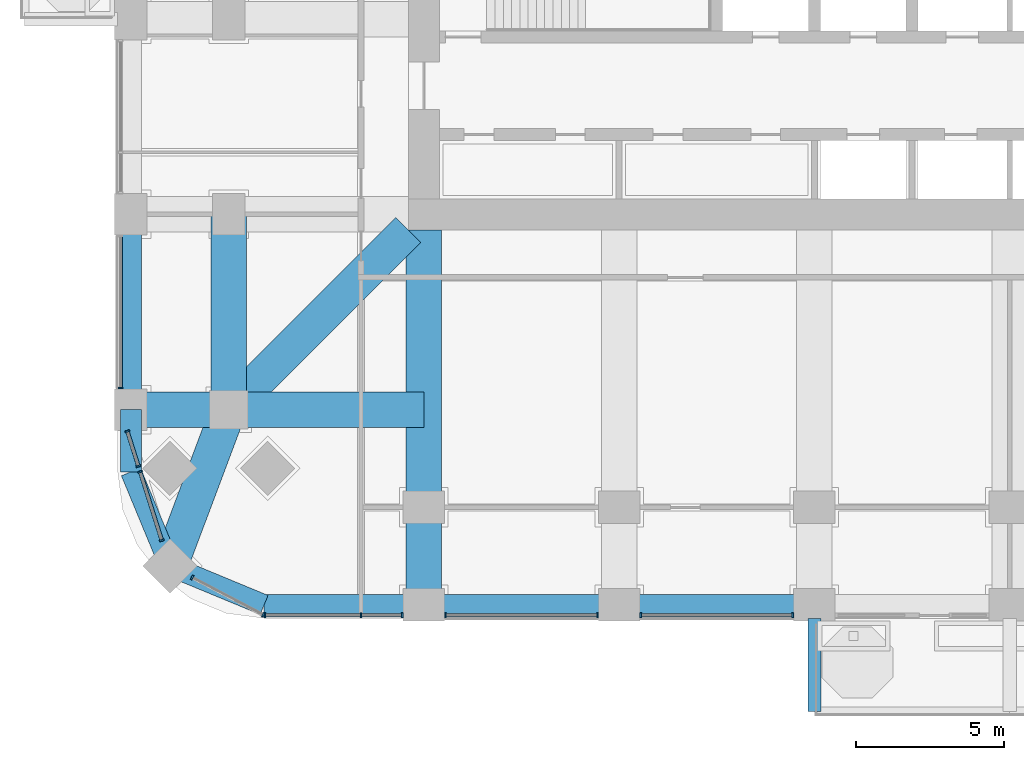
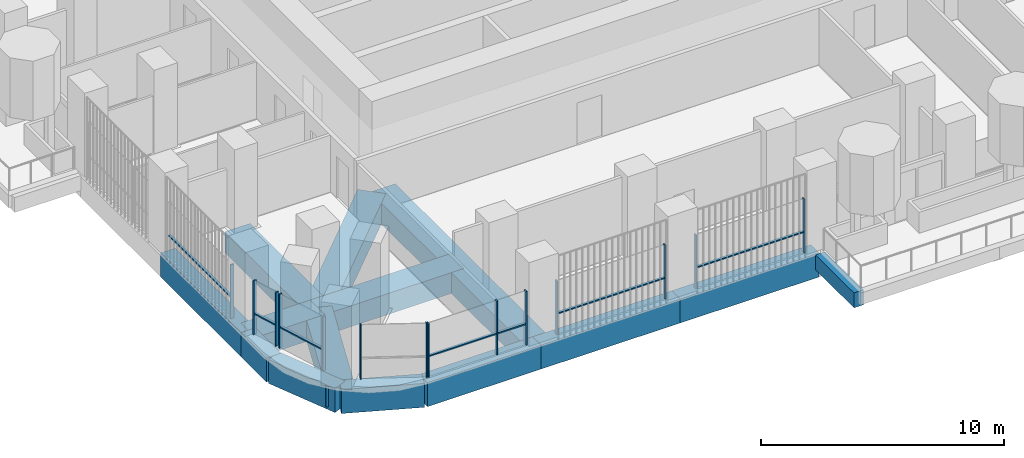
# One storey, part 2 of 22: 21 members, 14 beams, 7 elements without a shape of their own.
"""IFC4 building model written with IfcOpenShell, lengths in metres."""

from ifc_helpers import new_model, si_unit, direction, frame, origin, origin_2d, place, context, subcontext, project, spatial, rectangle, extrude, material, material_profile, profile_set, type_object, element, aggregate, save


model = new_model("IFC4")

# Units and contexts
model_context = context("Model", 3, precision=1e-05, world=origin(), true_north=direction((0.0, 1.0)))
body_context = subcontext(model_context, "Body", "Model", "MODEL_VIEW")
ifc_project = project(units=[si_unit("LENGTHUNIT", "METRE"), si_unit("AREAUNIT", "SQUARE_METRE"), si_unit("VOLUMEUNIT", "CUBIC_METRE"), si_unit("PLANEANGLEUNIT", "RADIAN"), si_unit("MASSUNIT", "GRAM", prefix="KILO")], contexts=[model_context])

# Site, building, storey
site_placement = place(None, origin())
site = spatial("IfcSite", under=ifc_project, at=site_placement, CompositionType="ELEMENT")
building_placement = place(site_placement, origin())
building = spatial("IfcBuilding", under=site, at=building_placement, Name="Cobogo Forest Laboratory Tower", CompositionType="ELEMENT")
storey_placement = place(building_placement, frame((0.0, 0.0, 120.0)))
storey = spatial("IfcBuildingStorey", under=building, at=storey_placement, Name="L27", CompositionType="ELEMENT", Elevation=120.0)

# Beams
ifc_material_1 = material(Name="Concrete HA-40 (C40/50)", Category="concrete")
ifc_material_profile_1 = material_profile(ifc_material_1, rectangle(XDim=0.449951171875, YDim=0.75, at=origin_2d()), Name="RC 450x750")
ifc_profile_set_1 = profile_set([ifc_material_profile_1], Name="Concrete HA-40 (C40/50)")
beam_type_1 = type_object("IfcBeamType", Name="Balcony cantilever beam 450x750", PredefinedType="BEAM", material=ifc_profile_set_1)
beam_1_placement = place(storey_placement, frame((26.39990234375, -0.449951171875, -0.625), z_axis=(0.0, -1.0, 0.0), x_axis=(1.0, 0.0, 0.0)))
element("IfcBeam", 1, at=beam_1_placement, inside=storey, type_object=beam_type_1, Name="CB1 BAL-S1-C1 L27", PredefinedType="BEAM", context=body_context, shape_type="SweptSolid", body=[
    extrude(rectangle(XDim=0.449951171875, YDim=0.75, at=origin_2d()), origin(), (0.0, 0.0, 1.0), 3.150146484375),
])
ifc_material_profile_2 = material_profile(ifc_material_1, rectangle(XDim=1.199951171875, YDim=1.050048828125, at=origin_2d()), Name="RC 1200x1050")
ifc_profile_set_2 = profile_set([ifc_material_profile_2], Name="Concrete HA-40 (C40/50)")
beam_type_2 = type_object("IfcBeamType", Name="Laboratory floor wide beam 1200x1050", PredefinedType="BEAM", material=ifc_profile_set_2)
beam_2_placement = place(storey_placement, frame((13.199951171875, 12.675048828125, -0.824951171875), z_axis=(0.0, -1.0, 0.0), x_axis=(1.0, 0.0, 0.0)))
element("IfcBeam", 2, at=beam_2_placement, inside=storey, type_object=beam_type_2, Name="RB1 R-3-S L27", PredefinedType="BEAM", context=body_context, shape_type="SweptSolid", body=[
    extrude(rectangle(XDim=1.199951171875, YDim=1.050048828125, at=origin_2d()), origin(), (0.0, 0.0, 1.0), 12.675048828125),
])
beam_3_placement = place(storey_placement, frame((6.60009765625, 6.60009765625, -0.824951171875), z_axis=(0.0, 1.0, 0.0), x_axis=(-1.0, 0.0, 0.0)))
element("IfcBeam", 3, at=beam_3_placement, inside=storey, type_object=beam_type_2, Name="RB1 G-SW-XC L27", PredefinedType="BEAM", context=body_context, shape_type="SweptSolid", body=[
    extrude(rectangle(XDim=1.199951171875, YDim=1.050048828125, at=origin_2d()), origin(), (0.0, 0.0, 1.0), 6.599853515625),
])
beam_4_placement = place(storey_placement, frame((3.300048828125, 6.60009765625, -0.824951171875), z_axis=(1.0, 0.0, 0.0), x_axis=(0.0, 1.0, 0.0)))
element("IfcBeam", 4, at=beam_4_placement, inside=storey, type_object=beam_type_2, Name="RB1 G-SW-YF L27", PredefinedType="BEAM", context=body_context, shape_type="SweptSolid", body=[
    extrude(rectangle(XDim=1.199951171875, YDim=1.050048828125, at=origin_2d()), origin(), (0.0, 0.0, 1.0), 3.300048828125),
])
beam_5_placement = place(storey_placement, frame((6.60009765625, 6.60009765625, -0.824951171875), z_axis=(1.0, 0.0, 0.0), x_axis=(0.0, 1.0, 0.0)))
element("IfcBeam", 5, at=beam_5_placement, inside=storey, type_object=beam_type_2, Name="RB1 G-SW-YC L27", PredefinedType="BEAM", context=body_context, shape_type="SweptSolid", body=[
    extrude(rectangle(XDim=1.199951171875, YDim=1.050048828125, at=origin_2d()), origin(), (0.0, 0.0, 1.0), 6.599853515625),
])
beam_6_placement = place(storey_placement, frame((4.617919921875, 1.318115234375, -0.824951171875), z_axis=(0.351346325373, 0.936245565889, 0.0), x_axis=(-0.936245565889, 0.351346325373, 0.0)))
element("IfcBeam", 6, at=beam_6_placement, inside=storey, type_object=beam_type_2, Name="RB1 G-SW-D1 L27", PredefinedType="BEAM", context=body_context, shape_type="SweptSolid", body=[
    extrude(rectangle(XDim=1.199951171875, YDim=1.050048828125, at=origin_2d()), origin(), (0.0, 0.0, 1.0), 5.6416015625),
])
beam_7_placement = place(storey_placement, frame((6.60009765625, 6.60009765625, -0.824951171875), z_axis=(0.707106781187, 0.707106781187, 0.0), x_axis=(-0.707106781187, 0.707106781187, 0.0)))
element("IfcBeam", 7, at=beam_7_placement, inside=storey, type_object=beam_type_2, Name="RB1 G-SW-D2 L27", PredefinedType="BEAM", context=body_context, shape_type="SweptSolid", body=[
    extrude(rectangle(XDim=1.199951171875, YDim=1.050048828125, at=origin_2d()), origin(), (0.0, 0.0, 1.0), 8.59130859375),
])

# Curtain wall, members
ifc_material_2 = material(Name="Aluminium curtain wall", Category="aluminium")
curtain_wall_type = type_object("IfcCurtainWallType", Name="CW-1 unitised curtain wall, clear glazing, laboratory floors zones A and B", PredefinedType="USERDEFINED", material=ifc_material_2)
curtain_wall_1_placement = place(storey_placement, origin())
curtain_wall_1 = element("IfcCurtainWall", 8, at=curtain_wall_1_placement, inside=storey, type_object=curtain_wall_type, Name="Curtain wall 01 L27", ObjectType="UNITISED CURTAIN WALL", PredefinedType="USERDEFINED")
ifc_material_3 = material(Name="Aluminium mullion", Category="aluminium")
ifc_material_profile_3 = material_profile(ifc_material_3, rectangle(XDim=0.06005859375, YDim=0.159912109375, at=origin_2d()), Name="AL 60x160")
ifc_profile_set_3 = profile_set([ifc_material_profile_3], Name="Aluminium mullion")
member_type_1 = type_object("IfcMemberType", Name="MU-1 aluminium mullion 60x160", PredefinedType="MULLION", material=ifc_profile_set_3)
member_1_placement = place(storey_placement, frame((7.830078125, -0.35009765625, 0.0), z_axis=(0.0, 0.0, 1.0), x_axis=(1.0, 0.0, 0.0)))
member_1 = element("IfcMember", 9, at=member_1_placement, type_object=member_type_1, Name="CW-1 mullion 1", PredefinedType="MULLION", context=body_context, shape_type="SweptSolid", body=[
    extrude(rectangle(XDim=0.06005859375, YDim=0.159912109375, at=origin_2d()), origin(), (0.0, 0.0, 1.0), 2.699951171875),
])
member_2_placement = place(storey_placement, frame((11.074951171875, -0.35009765625, 0.0), z_axis=(0.0, 0.0, 1.0), x_axis=(1.0, 0.0, 0.0)))
member_2 = element("IfcMember", 10, at=member_2_placement, type_object=member_type_1, Name="CW-1 mullion 2", PredefinedType="MULLION", context=body_context, shape_type="SweptSolid", body=[
    extrude(rectangle(XDim=0.06005859375, YDim=0.159912109375, at=origin_2d()), origin(), (0.0, 0.0, 1.0), 2.699951171875),
])
member_3_placement = place(storey_placement, frame((12.469970703125, -0.35009765625, 0.0), z_axis=(0.0, 0.0, 1.0), x_axis=(1.0, 0.0, 0.0)))
member_3 = element("IfcMember", 11, at=member_3_placement, type_object=member_type_1, Name="CW-1 mullion 3", PredefinedType="MULLION", context=body_context, shape_type="SweptSolid", body=[
    extrude(rectangle(XDim=0.06005859375, YDim=0.159912109375, at=origin_2d()), origin(), (0.0, 0.0, 1.0), 2.699951171875),
])

curtain_wall_2_placement = place(storey_placement, origin())
curtain_wall_2 = element("IfcCurtainWall", 12, at=curtain_wall_2_placement, inside=storey, type_object=curtain_wall_type, Name="Curtain wall 02 L27", ObjectType="UNITISED CURTAIN WALL", PredefinedType="USERDEFINED")
member_4_placement = place(storey_placement, frame((13.929931640625, -0.35009765625, 0.0), z_axis=(0.0, 0.0, 1.0), x_axis=(1.0, 0.0, 0.0)))
member_4 = element("IfcMember", 13, at=member_4_placement, type_object=member_type_1, Name="CW-1 mullion 1", PredefinedType="MULLION", context=body_context, shape_type="SweptSolid", body=[
    extrude(rectangle(XDim=0.06005859375, YDim=0.159912109375, at=origin_2d()), origin(), (0.0, 0.0, 1.0), 2.699951171875),
])
member_5_placement = place(storey_placement, frame((19.070068359375, -0.35009765625, 0.0), z_axis=(0.0, 0.0, 1.0), x_axis=(1.0, 0.0, 0.0)))
member_5 = element("IfcMember", 14, at=member_5_placement, type_object=member_type_1, Name="CW-1 mullion 2", PredefinedType="MULLION", context=body_context, shape_type="SweptSolid", body=[
    extrude(rectangle(XDim=0.06005859375, YDim=0.159912109375, at=origin_2d()), origin(), (0.0, 0.0, 1.0), 2.699951171875),
])

curtain_wall_3_placement = place(storey_placement, origin())
curtain_wall_3 = element("IfcCurtainWall", 15, at=curtain_wall_3_placement, inside=storey, type_object=curtain_wall_type, Name="Curtain wall 03 L27", ObjectType="UNITISED CURTAIN WALL", PredefinedType="USERDEFINED")
member_6_placement = place(storey_placement, frame((20.530029296875, -0.35009765625, 0.0), z_axis=(0.0, 0.0, 1.0), x_axis=(1.0, 0.0, 0.0)))
member_6 = element("IfcMember", 16, at=member_6_placement, type_object=member_type_1, Name="CW-1 mullion 1", PredefinedType="MULLION", context=body_context, shape_type="SweptSolid", body=[
    extrude(rectangle(XDim=0.06005859375, YDim=0.159912109375, at=origin_2d()), origin(), (0.0, 0.0, 1.0), 2.699951171875),
])
member_7_placement = place(storey_placement, frame((25.669921875, -0.35009765625, 0.0), z_axis=(0.0, 0.0, 1.0), x_axis=(1.0, 0.0, 0.0)))
member_7 = element("IfcMember", 17, at=member_7_placement, type_object=member_type_1, Name="CW-1 mullion 2", PredefinedType="MULLION", context=body_context, shape_type="SweptSolid", body=[
    extrude(rectangle(XDim=0.06005859375, YDim=0.159912109375, at=origin_2d()), origin(), (0.0, 0.0, 1.0), 2.699951171875),
])

# Curtain wall, member
curtain_wall_4_placement = place(storey_placement, origin())
curtain_wall_4 = element("IfcCurtainWall", 18, at=curtain_wall_4_placement, inside=storey, type_object=curtain_wall_type, Name="Curtain wall 31 L27", ObjectType="UNITISED CURTAIN WALL", PredefinedType="USERDEFINED")
member_8_placement = place(storey_placement, frame((2.949951171875, 7.330078125, 0.0), z_axis=(0.0, 0.0, 1.0), x_axis=(0.0, -1.0, 0.0)))
member_8 = element("IfcMember", 19, at=member_8_placement, type_object=member_type_1, Name="CW-1 mullion 2", PredefinedType="MULLION", context=body_context, shape_type="SweptSolid", body=[
    extrude(rectangle(XDim=0.06005859375, YDim=0.159912109375, at=origin_2d()), origin(), (0.0, 0.0, 1.0), 2.699951171875),
])

# Curtain wall, members
curtain_wall_5_placement = place(storey_placement, origin())
curtain_wall_5 = element("IfcCurtainWall", 20, at=curtain_wall_5_placement, inside=storey, type_object=curtain_wall_type, Name="Curtain wall 32 L27", ObjectType="UNITISED CURTAIN WALL", PredefinedType="USERDEFINED")
member_9_placement = place(storey_placement, frame((3.18017578125, 5.871337890625, 0.0), z_axis=(0.0, 0.0, 1.0), x_axis=(0.301135356805, -0.953581405483, 0.0)))
member_9 = element("IfcMember", 21, at=member_9_placement, type_object=member_type_1, Name="CW-1 mullion 1", PredefinedType="MULLION", context=body_context, shape_type="SweptSolid", body=[
    extrude(rectangle(XDim=0.06005859375, YDim=0.159912109375, at=origin_2d()), origin(), (0.0, 0.0, 1.0), 2.699951171875),
])
member_10_placement = place(storey_placement, frame((3.55224609375, 4.69287109375, 0.0), z_axis=(0.0, 0.0, 1.0), x_axis=(0.301135356805, -0.953581405483, 0.0)))
member_10 = element("IfcMember", 22, at=member_10_placement, type_object=member_type_1, Name="CW-1 mullion 2", PredefinedType="MULLION", context=body_context, shape_type="SweptSolid", body=[
    extrude(rectangle(XDim=0.06005859375, YDim=0.159912109375, at=origin_2d()), origin(), (0.0, 0.0, 1.0), 2.699951171875),
])

curtain_wall_6_placement = place(storey_placement, origin())
curtain_wall_6 = element("IfcCurtainWall", 23, at=curtain_wall_6_placement, inside=storey, type_object=curtain_wall_type, Name="Curtain wall 33 L27", ObjectType="UNITISED CURTAIN WALL", PredefinedType="USERDEFINED")
member_11_placement = place(storey_placement, frame((3.613037109375, 4.500244140625, 0.0), z_axis=(0.0, 0.0, 1.0), x_axis=(0.301135291996, -0.953581425949, 0.0)))
member_11 = element("IfcMember", 24, at=member_11_placement, type_object=member_type_1, Name="CW-1 mullion 1", PredefinedType="MULLION", context=body_context, shape_type="SweptSolid", body=[
    extrude(rectangle(XDim=0.06005859375, YDim=0.159912109375, at=origin_2d()), origin(), (0.0, 0.0, 1.0), 2.699951171875),
])
member_12_placement = place(storey_placement, frame((4.34423828125, 2.18505859375, 0.0), z_axis=(0.0, 0.0, 1.0), x_axis=(0.301135291996, -0.953581425949, 0.0)))
member_12 = element("IfcMember", 25, at=member_12_placement, type_object=member_type_1, Name="CW-1 mullion 2", PredefinedType="MULLION", context=body_context, shape_type="SweptSolid", body=[
    extrude(rectangle(XDim=0.06005859375, YDim=0.159912109375, at=origin_2d()), origin(), (0.0, 0.0, 1.0), 2.699951171875),
])

curtain_wall_7_placement = place(storey_placement, origin())
curtain_wall_7 = element("IfcCurtainWall", 26, at=curtain_wall_7_placement, inside=storey, type_object=curtain_wall_type, Name="Curtain wall 34 L27", ObjectType="UNITISED CURTAIN WALL", PredefinedType="USERDEFINED")
member_13_placement = place(storey_placement, frame((5.368408203125, 0.9248046875, 0.0), z_axis=(0.0, 0.0, 1.0), x_axis=(0.885686547075, -0.464283685186, 0.0)))
member_13 = element("IfcMember", 27, at=member_13_placement, type_object=member_type_1, Name="CW-1 mullion 1", PredefinedType="MULLION", context=body_context, shape_type="SweptSolid", body=[
    extrude(rectangle(XDim=0.06005859375, YDim=0.159912109375, at=origin_2d()), origin(), (0.0, 0.0, 1.0), 2.699951171875),
])
member_14_placement = place(storey_placement, frame((7.7734375, -0.336181640625, 0.0), z_axis=(0.0, 0.0, 1.0), x_axis=(0.885686547075, -0.464283685186, 0.0)))
member_14 = element("IfcMember", 28, at=member_14_placement, type_object=member_type_1, Name="CW-1 mullion 2", PredefinedType="MULLION", context=body_context, shape_type="SweptSolid", body=[
    extrude(rectangle(XDim=0.06005859375, YDim=0.159912109375, at=origin_2d()), origin(), (0.0, 0.0, 1.0), 2.699951171875),
])
aggregate(curtain_wall_7, [member_13, member_14])

# Beams
ifc_material_profile_4 = material_profile(ifc_material_1, rectangle(XDim=0.699951171875, YDim=1.199951171875, at=origin_2d()), Name="RC 700x1200")
ifc_profile_set_4 = profile_set([ifc_material_profile_4], Name="Concrete HA-40 (C40/50)")
beam_type_3 = type_object("IfcBeamType", Name="Perimeter edge beam 700x1200", PredefinedType="BEAM", material=ifc_profile_set_4)
beam_8_placement = place(storey_placement, frame((13.199951171875, 0.0, -0.89990234375), z_axis=(1.0, 0.0, 0.0), x_axis=(0.0, 1.0, 0.0)))
element("IfcBeam", 29, at=beam_8_placement, inside=storey, type_object=beam_type_3, Name="EB1 E-S1 L27", PredefinedType="BEAM", context=body_context, shape_type="SweptSolid", body=[
    extrude(rectangle(XDim=0.699951171875, YDim=1.199951171875, at=origin_2d()), origin(), (0.0, 0.0, 1.0), 6.60009765625),
])
for number, where, z_axis, x_axis, name in (
    (30, (19.800048828125, 0.0, -0.89990234375), (1.0, 0.0, 0.0), (0.0, 1.0, 0.0), "EB1 E-S2 L27"),
    (31, (3.300048828125, 6.60009765625, -0.89990234375), (0.0, 1.0, 0.0), (-1.0, 0.0, 0.0), "EB1 E-W1 L27"),
):
    element("IfcBeam", number, at=place(storey_placement, frame(where, z_axis=z_axis, x_axis=x_axis)), inside=storey, type_object=beam_type_3, Name=name, PredefinedType="BEAM", context=body_context, shape_type="SweptSolid", body=[
        extrude(rectangle(XDim=0.699951171875, YDim=1.199951171875, at=origin_2d()), origin(), (0.0, 0.0, 1.0), 6.599853515625),
    ])
beam_9_placement = place(storey_placement, frame((13.199951171875, 0.0, -0.89990234375), z_axis=(-1.0, 0.0, 0.0), x_axis=(0.0, -1.0, 0.0)))
element("IfcBeam", 32, at=beam_9_placement, inside=storey, type_object=beam_type_3, Name="EB1 E-SWS1 L27", PredefinedType="BEAM", context=body_context, shape_type="SweptSolid", body=[
    extrude(rectangle(XDim=0.699951171875, YDim=1.199951171875, at=origin_2d()), origin(), (0.0, 0.0, 1.0), 5.39990234375),
])
beam_10_placement = place(storey_placement, frame((7.800048828125, 0.0, -0.89990234375), z_axis=(-0.923876013265, 0.382691928466, 0.0), x_axis=(-0.382691928466, -0.923876013265, 0.0)))
element("IfcBeam", 33, at=beam_10_placement, inside=storey, type_object=beam_type_3, Name="EB1 E-SWS2 L27", PredefinedType="BEAM", context=body_context, shape_type="SweptSolid", body=[
    extrude(rectangle(XDim=0.699951171875, YDim=1.199951171875, at=origin_2d()), origin(), (0.0, 0.0, 1.0), 3.4443359375),
])
beam_11_placement = place(storey_placement, frame((3.300048828125, 6.60009765625, -0.89990234375), z_axis=(0.0, -1.0, 0.0), x_axis=(1.0, 0.0, 0.0)))
element("IfcBeam", 34, at=beam_11_placement, inside=storey, type_object=beam_type_3, Name="EB1 E-SWW1 L27", PredefinedType="BEAM", context=body_context, shape_type="SweptSolid", body=[
    extrude(rectangle(XDim=0.699951171875, YDim=1.199951171875, at=origin_2d()), origin(), (0.0, 0.0, 1.0), 2.10009765625),
])
beam_12_placement = place(storey_placement, frame((3.300048828125, 4.5, -0.89990234375), z_axis=(0.382656484822, -0.923890694089, 0.0), x_axis=(0.923890694089, 0.382656484822, 0.0)))
element("IfcBeam", 35, at=beam_12_placement, inside=storey, type_object=beam_type_3, Name="EB1 E-SWW2 L27", PredefinedType="BEAM", context=body_context, shape_type="SweptSolid", body=[
    extrude(rectangle(XDim=0.699951171875, YDim=1.199951171875, at=origin_2d()), origin(), (0.0, 0.0, 1.0), 3.444091796875),
])

# Member
ifc_material_4 = material(Name="Aluminium transom", Category="aluminium")
ifc_material_profile_5 = material_profile(ifc_material_4, rectangle(XDim=0.1201171875, YDim=0.06005859375, at=origin_2d()), Name="AL 60x120")
ifc_profile_set_5 = profile_set([ifc_material_profile_5], Name="Aluminium transom")
member_type_2 = type_object("IfcMemberType", Name="TR-1 aluminium transom 60x120", PredefinedType="USERDEFINED", material=ifc_profile_set_5)
member_15_placement = place(storey_placement, frame((7.860107421875, -0.35009765625, 1.050048828125), z_axis=(1.0, 0.0, 0.0), x_axis=(0.0, 1.0, 0.0)))
member_15 = element("IfcMember", 36, at=member_15_placement, type_object=member_type_2, Name="CW-1 transom 1.1", ObjectType="TRANSOM", PredefinedType="USERDEFINED", context=body_context, shape_type="SweptSolid", body=[
    extrude(rectangle(XDim=0.1201171875, YDim=0.06005859375, at=origin_2d()), origin(), (0.0, 0.0, 1.0), 3.184814453125),
])

member_16_placement = place(storey_placement, frame((11.10498046875, -0.35009765625, 1.050048828125), z_axis=(1.0, 0.0, 0.0), x_axis=(0.0, 1.0, 0.0)))
member_16 = element("IfcMember", 37, at=member_16_placement, type_object=member_type_2, Name="CW-1 transom 2.1", ObjectType="TRANSOM", PredefinedType="USERDEFINED", context=body_context, shape_type="SweptSolid", body=[
    extrude(rectangle(XDim=0.1201171875, YDim=0.06005859375, at=origin_2d()), origin(), (0.0, 0.0, 1.0), 1.3349609375),
])

aggregate(curtain_wall_1, [member_1, member_2, member_3, member_15, member_16])

member_17_placement = place(storey_placement, frame((13.9599609375, -0.35009765625, 1.050048828125), z_axis=(1.0, 0.0, 0.0), x_axis=(0.0, 1.0, 0.0)))
member_17 = element("IfcMember", 38, at=member_17_placement, type_object=member_type_2, Name="CW-1 transom 1.1", ObjectType="TRANSOM", PredefinedType="USERDEFINED", context=body_context, shape_type="SweptSolid", body=[
    extrude(rectangle(XDim=0.1201171875, YDim=0.06005859375, at=origin_2d()), origin(), (0.0, 0.0, 1.0), 5.080078125),
])

aggregate(curtain_wall_2, [member_4, member_5, member_17])

member_18_placement = place(storey_placement, frame((20.56005859375, -0.35009765625, 1.050048828125), z_axis=(1.0, 0.0, 0.0), x_axis=(0.0, 1.0, 0.0)))
member_18 = element("IfcMember", 39, at=member_18_placement, type_object=member_type_2, Name="CW-1 transom 1.1", ObjectType="TRANSOM", PredefinedType="USERDEFINED", context=body_context, shape_type="SweptSolid", body=[
    extrude(rectangle(XDim=0.1201171875, YDim=0.06005859375, at=origin_2d()), origin(), (0.0, 0.0, 1.0), 5.079833984375),
])

aggregate(curtain_wall_3, [member_6, member_7, member_18])

member_19_placement = place(storey_placement, frame((2.949951171875, 12.43994140625, 1.050048828125), z_axis=(0.0, -1.0, 0.0), x_axis=(1.0, 0.0, 0.0)))
member_19 = element("IfcMember", 40, at=member_19_placement, type_object=member_type_2, Name="CW-1 transom 1.1", ObjectType="TRANSOM", PredefinedType="USERDEFINED", context=body_context, shape_type="SweptSolid", body=[
    extrude(rectangle(XDim=0.1201171875, YDim=0.06005859375, at=origin_2d()), origin(), (0.0, 0.0, 1.0), 5.079833984375),
])

aggregate(curtain_wall_4, [member_8, member_19])

member_20_placement = place(storey_placement, frame((3.189208984375, 5.8427734375, 1.050048828125), z_axis=(0.301111490799, -0.953588941897, 0.0), x_axis=(0.953588941897, 0.301111490799, 0.0)))
member_20 = element("IfcMember", 41, at=member_20_placement, type_object=member_type_2, Name="CW-1 transom 1.1", ObjectType="TRANSOM", PredefinedType="USERDEFINED", context=body_context, shape_type="SweptSolid", body=[
    extrude(rectangle(XDim=0.1201171875, YDim=0.06005859375, at=origin_2d()), origin(), (0.0, 0.0, 1.0), 1.175537109375),
])

aggregate(curtain_wall_5, [member_9, member_10, member_20])

member_21_placement = place(storey_placement, frame((3.6220703125, 4.4716796875, 1.050048828125), z_axis=(0.301156039198, -0.953574873859, 0.0), x_axis=(0.953574873859, 0.301156039198, 0.0)))
member_21 = element("IfcMember", 42, at=member_21_placement, type_object=member_type_2, Name="CW-1 transom 1.1", ObjectType="TRANSOM", PredefinedType="USERDEFINED", context=body_context, shape_type="SweptSolid", body=[
    extrude(rectangle(XDim=0.1201171875, YDim=0.06005859375, at=origin_2d()), origin(), (0.0, 0.0, 1.0), 2.367919921875),
])

aggregate(curtain_wall_6, [member_11, member_12, member_21])

save(model, "model.ifc")
